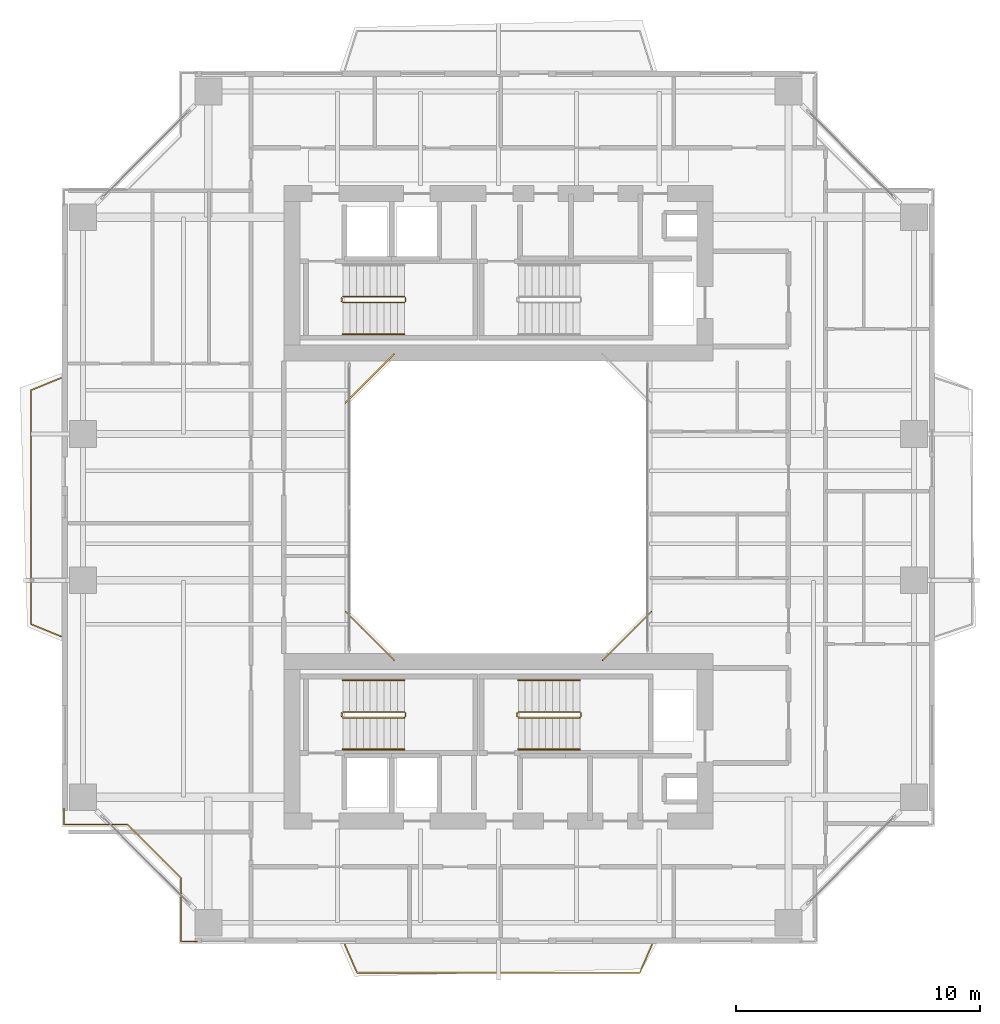
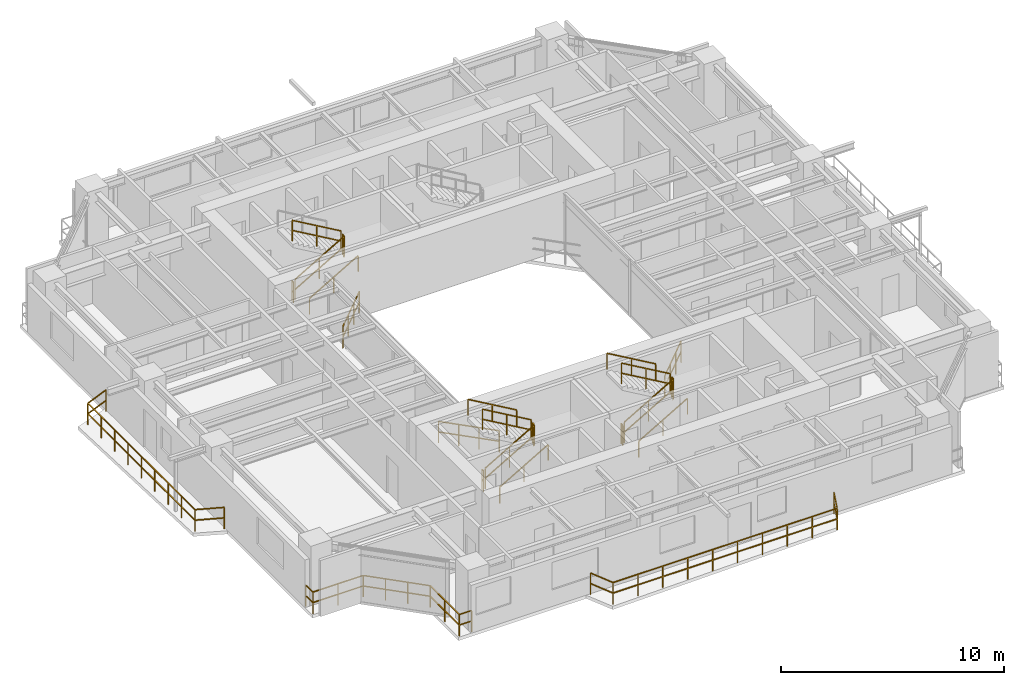
# One storey, part 15 of 17: 23 railings.
"""IFC4 building model written with IfcOpenShell, lengths in metres."""

from ifc_helpers import new_model, si_unit, direction, frame, origin, origin_2d, place, context, subcontext, project, spatial, rectangle, extrude, material, type_object, element, save


model = new_model("IFC4")

# Units and contexts
model_context = context("Model", 3, precision=1e-05, world=origin(), true_north=direction((0.0, 1.0)))
body_context = subcontext(model_context, "Body", "Model", "MODEL_VIEW")
ifc_project = project(units=[si_unit("LENGTHUNIT", "METRE"), si_unit("AREAUNIT", "SQUARE_METRE"), si_unit("VOLUMEUNIT", "CUBIC_METRE"), si_unit("PLANEANGLEUNIT", "RADIAN"), si_unit("MASSUNIT", "GRAM", prefix="KILO"), si_unit("THERMODYNAMICTEMPERATUREUNIT", "KELVIN"), si_unit("POWERUNIT", "WATT")], contexts=[model_context])

# Site, building, storey
site_placement = place(None, origin())
site = spatial("IfcSite", under=ifc_project, at=site_placement, CompositionType="ELEMENT")
building_placement = place(site_placement, origin())
building = spatial("IfcBuilding", under=site, at=building_placement, Name="Qiaomeng Ring Towers", CompositionType="ELEMENT")
storey_placement = place(building_placement, frame((0.0, 0.0, 119.75)))
storey = spatial("IfcBuildingStorey", under=building, at=storey_placement, Name="L34", CompositionType="ELEMENT", Elevation=119.75)

# Railings
ifc_material_1 = material(Name="Low-E pale-green laminated safety glass", Category="glass")
railing_type_1 = type_object("IfcRailingType", Name="ARC-RL-BAL1", PredefinedType="BALUSTRADE", material=ifc_material_1)
railing_1_placement = place(storey_placement, frame((23.280029296875, 16.719970703125, 0.0)))
element("IfcRailing", 1, at=railing_1_placement, inside=storey, type_object=railing_type_1, Name="L34 Balustrade ARC-BAL-WELL1-L34-1", PredefinedType="BALUSTRADE", context=body_context, shape_type="SweptSolid", body=[
    extrude(rectangle(XDim=0.048095703125, YDim=0.048095703125, at=origin_2d()), frame((0.0, 0.0, 1.17578125), z_axis=(0.707106781187, 0.707106781187, 0.0), x_axis=(-0.707106781187, 0.707106781187, 0.0)), (0.0, 0.0, 1.0), 2.828369140625),
    extrude(rectangle(XDim=0.048095703125, YDim=0.048095703125, at=origin_2d()), frame((0.0, 0.0, 0.60009765625), z_axis=(0.707106781187, 0.707106781187, 0.0), x_axis=(-0.707106781187, 0.707106781187, 0.0)), (0.0, 0.0, 1.0), 2.828369140625),
    extrude(rectangle(XDim=0.0419921875, YDim=0.0419921875, at=origin_2d()), origin(), (0.0, 0.0, 1.0), 1.15185546875),
    extrude(rectangle(XDim=0.0419921875, YDim=0.0419921875, at=origin_2d()), frame((0.666748046875, 0.666748046875, 0.0)), (0.0, 0.0, 1.0), 1.15185546875),
    extrude(rectangle(XDim=0.0419921875, YDim=0.0419921875, at=origin_2d()), frame((1.333251953125, 1.333251953125, 0.0)), (0.0, 0.0, 1.0), 1.15185546875),
    extrude(rectangle(XDim=0.0419921875, YDim=0.0419921875, at=origin_2d()), frame((2.0, 2.0, 0.0)), (0.0, 0.0, 1.0), 1.15185546875),
])
railing_2_placement = place(storey_placement, frame((14.719970703125, 29.280029296875, 0.0)))
element("IfcRailing", 2, at=railing_2_placement, inside=storey, type_object=railing_type_1, Name="L34 Balustrade ARC-BAL-WELL1-L34-3", PredefinedType="BALUSTRADE", context=body_context, shape_type="SweptSolid", body=[
    extrude(rectangle(XDim=0.048095703125, YDim=0.048095703125, at=origin_2d()), frame((0.0, 0.0, 1.17578125), z_axis=(-0.707106781187, -0.707106781187, 0.0), x_axis=(0.707106781187, -0.707106781187, 0.0)), (0.0, 0.0, 1.0), 2.828369140625),
    extrude(rectangle(XDim=0.048095703125, YDim=0.048095703125, at=origin_2d()), frame((0.0, 0.0, 0.60009765625), z_axis=(-0.707106781187, -0.707106781187, 0.0), x_axis=(0.707106781187, -0.707106781187, 0.0)), (0.0, 0.0, 1.0), 2.828369140625),
    extrude(rectangle(XDim=0.0419921875, YDim=0.0419921875, at=origin_2d()), origin(), (0.0, 0.0, 1.0), 1.15185546875),
    extrude(rectangle(XDim=0.0419921875, YDim=0.0419921875, at=origin_2d()), frame((-0.666748046875, -0.666748046875, 0.0)), (0.0, 0.0, 1.0), 1.15185546875),
    extrude(rectangle(XDim=0.0419921875, YDim=0.0419921875, at=origin_2d()), frame((-1.333251953125, -1.333251953125, 0.0)), (0.0, 0.0, 1.0), 1.15185546875),
    extrude(rectangle(XDim=0.0419921875, YDim=0.0419921875, at=origin_2d()), frame((-2.0, -2.0, 0.0)), (0.0, 0.0, 1.0), 1.15185546875),
])
railing_3_placement = place(storey_placement, frame((12.719970703125, 18.719970703125, 0.0)))
element("IfcRailing", 3, at=railing_3_placement, inside=storey, type_object=railing_type_1, Name="L34 Balustrade ARC-BAL-WELL1-L34-4", PredefinedType="BALUSTRADE", context=body_context, shape_type="SweptSolid", body=[
    extrude(rectangle(XDim=0.048095703125, YDim=0.048095703125, at=origin_2d()), frame((0.0, 0.0, 1.17578125), z_axis=(0.707106781187, -0.707106781187, 0.0), x_axis=(0.707106781187, 0.707106781187, 0.0)), (0.0, 0.0, 1.0), 2.828369140625),
    extrude(rectangle(XDim=0.048095703125, YDim=0.048095703125, at=origin_2d()), frame((0.0, 0.0, 0.60009765625), z_axis=(0.707106781187, -0.707106781187, 0.0), x_axis=(0.707106781187, 0.707106781187, 0.0)), (0.0, 0.0, 1.0), 2.828369140625),
    extrude(rectangle(XDim=0.0419921875, YDim=0.0419921875, at=origin_2d()), origin(), (0.0, 0.0, 1.0), 1.15185546875),
    extrude(rectangle(XDim=0.0419921875, YDim=0.0419921875, at=origin_2d()), frame((0.666748046875, -0.666748046875, 0.0)), (0.0, 0.0, 1.0), 1.15185546875),
    extrude(rectangle(XDim=0.0419921875, YDim=0.0419921875, at=origin_2d()), frame((1.333251953125, -1.333251953125, 0.0)), (0.0, 0.0, 1.0), 1.15185546875),
    extrude(rectangle(XDim=0.0419921875, YDim=0.0419921875, at=origin_2d()), frame((2.0, -2.0, 0.0)), (0.0, 0.0, 1.0), 1.15185546875),
])
railing_4_placement = place(storey_placement, frame((1.179931640625, 10.6298828125, 0.0)))
element("IfcRailing", 4, at=railing_4_placement, inside=storey, type_object=railing_type_1, Name="L34 Balustrade ARC-BAL-NOTCH1-L34-SW", PredefinedType="BALUSTRADE", context=body_context, shape_type="SweptSolid", body=[
    extrude(rectangle(XDim=0.048095703125, YDim=0.048095703125, at=origin_2d()), frame((0.0, 0.0, 1.17578125), z_axis=(0.0, -1.0, 0.0), x_axis=(1.0, 0.0, 0.0)), (0.0, 0.0, 1.0), 0.64990234375),
    extrude(rectangle(XDim=0.048095703125, YDim=0.048095703125, at=origin_2d()), frame((0.0, 0.0, 0.60009765625), z_axis=(0.0, -1.0, 0.0), x_axis=(1.0, 0.0, 0.0)), (0.0, 0.0, 1.0), 0.64990234375),
    extrude(rectangle(XDim=0.048095703125, YDim=0.048095703125, at=origin_2d()), frame((0.0, -0.64990234375, 1.17578125), z_axis=(1.0, 0.0, 0.0), x_axis=(0.0, 1.0, 0.0)), (0.0, 0.0, 1.0), 2.60009765625),
    extrude(rectangle(XDim=0.048095703125, YDim=0.048095703125, at=origin_2d()), frame((0.0, -0.64990234375, 0.60009765625), z_axis=(1.0, 0.0, 0.0), x_axis=(0.0, 1.0, 0.0)), (0.0, 0.0, 1.0), 2.60009765625),
    extrude(rectangle(XDim=0.048095703125, YDim=0.048095703125, at=origin_2d()), frame((2.60009765625, -0.64990234375, 1.17578125), z_axis=(0.707106781187, -0.707106781187, 0.0), x_axis=(0.707106781187, 0.707106781187, 0.0)), (0.0, 0.0, 1.0), 3.111083984375),
    extrude(rectangle(XDim=0.048095703125, YDim=0.048095703125, at=origin_2d()), frame((2.60009765625, -0.64990234375, 0.60009765625), z_axis=(0.707106781187, -0.707106781187, 0.0), x_axis=(0.707106781187, 0.707106781187, 0.0)), (0.0, 0.0, 1.0), 3.111083984375),
    extrude(rectangle(XDim=0.048095703125, YDim=0.048095703125, at=origin_2d()), frame((4.800048828125, -2.849853515625, 1.17578125), z_axis=(0.0, -1.0, 0.0), x_axis=(1.0, 0.0, 0.0)), (0.0, 0.0, 1.0), 2.60009765625),
    extrude(rectangle(XDim=0.048095703125, YDim=0.048095703125, at=origin_2d()), frame((4.800048828125, -2.849853515625, 0.60009765625), z_axis=(0.0, -1.0, 0.0), x_axis=(1.0, 0.0, 0.0)), (0.0, 0.0, 1.0), 2.60009765625),
    extrude(rectangle(XDim=0.048095703125, YDim=0.048095703125, at=origin_2d()), frame((4.800048828125, -5.449951171875, 1.17578125), z_axis=(1.0, 0.0, 0.0), x_axis=(0.0, 1.0, 0.0)), (0.0, 0.0, 1.0), 0.64990234375),
    extrude(rectangle(XDim=0.048095703125, YDim=0.048095703125, at=origin_2d()), frame((4.800048828125, -5.449951171875, 0.60009765625), z_axis=(1.0, 0.0, 0.0), x_axis=(0.0, 1.0, 0.0)), (0.0, 0.0, 1.0), 0.64990234375),
    extrude(rectangle(XDim=0.0419921875, YDim=0.0419921875, at=origin_2d()), origin(), (0.0, 0.0, 1.0), 1.15185546875),
    extrude(rectangle(XDim=0.0419921875, YDim=0.0419921875, at=origin_2d()), frame((0.0, -0.64990234375, 0.0)), (0.0, 0.0, 1.0), 1.15185546875),
    extrude(rectangle(XDim=0.0419921875, YDim=0.0419921875, at=origin_2d()), frame((1.300048828125, -0.64990234375, 0.0)), (0.0, 0.0, 1.0), 1.15185546875),
    extrude(rectangle(XDim=0.0419921875, YDim=0.0419921875, at=origin_2d()), frame((2.60009765625, -0.64990234375, 0.0)), (0.0, 0.0, 1.0), 1.15185546875),
    extrude(rectangle(XDim=0.0419921875, YDim=0.0419921875, at=origin_2d()), frame((3.33349609375, -1.38330078125, 0.0)), (0.0, 0.0, 1.0), 1.15185546875),
    extrude(rectangle(XDim=0.0419921875, YDim=0.0419921875, at=origin_2d()), frame((4.066650390625, -2.116455078125, 0.0)), (0.0, 0.0, 1.0), 1.15185546875),
    extrude(rectangle(XDim=0.0419921875, YDim=0.0419921875, at=origin_2d()), frame((4.800048828125, -2.849853515625, 0.0)), (0.0, 0.0, 1.0), 1.15185546875),
    extrude(rectangle(XDim=0.0419921875, YDim=0.0419921875, at=origin_2d()), frame((4.800048828125, -4.14990234375, 0.0)), (0.0, 0.0, 1.0), 1.15185546875),
    extrude(rectangle(XDim=0.0419921875, YDim=0.0419921875, at=origin_2d()), frame((4.800048828125, -5.449951171875, 0.0)), (0.0, 0.0, 1.0), 1.15185546875),
    extrude(rectangle(XDim=0.0419921875, YDim=0.0419921875, at=origin_2d()), frame((5.449951171875, -5.449951171875, 0.0)), (0.0, 0.0, 1.0), 1.15185546875),
])
railing_5_placement = place(storey_placement, frame((12.699951171875, 5.050048828125, 0.0)))
element("IfcRailing", 5, at=railing_5_placement, inside=storey, type_object=railing_type_1, Name="L34 Balustrade ARC-BAL-L34-T1-S", PredefinedType="BALUSTRADE", context=body_context, shape_type="SweptSolid", body=[
    extrude(rectangle(XDim=0.048095703125, YDim=0.048095703125, at=origin_2d()), frame((0.0, 0.0, 1.17578125), z_axis=(0.39868340127, -0.917088624699, 0.0), x_axis=(0.917088624699, 0.39868340127, 0.0)), (0.0, 0.0, 1.0), 1.254150390625),
    extrude(rectangle(XDim=0.048095703125, YDim=0.048095703125, at=origin_2d()), frame((0.0, 0.0, 0.60009765625), z_axis=(0.39868340127, -0.917088624699, 0.0), x_axis=(0.917088624699, 0.39868340127, 0.0)), (0.0, 0.0, 1.0), 1.254150390625),
    extrude(rectangle(XDim=0.048095703125, YDim=0.048095703125, at=origin_2d()), frame((0.5, -1.150146484375, 1.17578125), z_axis=(1.0, 0.0, 0.0), x_axis=(0.0, 1.0, 0.0)), (0.0, 0.0, 1.0), 11.60009765625),
    extrude(rectangle(XDim=0.048095703125, YDim=0.048095703125, at=origin_2d()), frame((0.5, -1.150146484375, 0.60009765625), z_axis=(1.0, 0.0, 0.0), x_axis=(0.0, 1.0, 0.0)), (0.0, 0.0, 1.0), 11.60009765625),
    extrude(rectangle(XDim=0.048095703125, YDim=0.048095703125, at=origin_2d()), frame((12.10009765625, -1.150146484375, 1.17578125), z_axis=(0.39868340127, 0.917088624699, 0.0), x_axis=(-0.917088624699, 0.39868340127, 0.0)), (0.0, 0.0, 1.0), 1.254150390625),
    extrude(rectangle(XDim=0.048095703125, YDim=0.048095703125, at=origin_2d()), frame((12.10009765625, -1.150146484375, 0.60009765625), z_axis=(0.39868340127, 0.917088624699, 0.0), x_axis=(-0.917088624699, 0.39868340127, 0.0)), (0.0, 0.0, 1.0), 1.254150390625),
    extrude(rectangle(XDim=0.0419921875, YDim=0.0419921875, at=origin_2d()), origin(), (0.0, 0.0, 1.0), 1.15185546875),
    extrude(rectangle(XDim=0.0419921875, YDim=0.0419921875, at=origin_2d()), frame((0.5, -1.150146484375, 0.0)), (0.0, 0.0, 1.0), 1.15185546875),
    extrude(rectangle(XDim=0.0419921875, YDim=0.0419921875, at=origin_2d()), frame((1.788818359375, -1.150146484375, 0.0)), (0.0, 0.0, 1.0), 1.15185546875),
    extrude(rectangle(XDim=0.0419921875, YDim=0.0419921875, at=origin_2d()), frame((3.077880859375, -1.150146484375, 0.0)), (0.0, 0.0, 1.0), 1.15185546875),
    extrude(rectangle(XDim=0.0419921875, YDim=0.0419921875, at=origin_2d()), frame((4.36669921875, -1.150146484375, 0.0)), (0.0, 0.0, 1.0), 1.15185546875),
    extrude(rectangle(XDim=0.0419921875, YDim=0.0419921875, at=origin_2d()), frame((5.655517578125, -1.150146484375, 0.0)), (0.0, 0.0, 1.0), 1.15185546875),
    extrude(rectangle(XDim=0.0419921875, YDim=0.0419921875, at=origin_2d()), frame((6.944580078125, -1.150146484375, 0.0)), (0.0, 0.0, 1.0), 1.15185546875),
    extrude(rectangle(XDim=0.0419921875, YDim=0.0419921875, at=origin_2d()), frame((8.2333984375, -1.150146484375, 0.0)), (0.0, 0.0, 1.0), 1.15185546875),
    extrude(rectangle(XDim=0.0419921875, YDim=0.0419921875, at=origin_2d()), frame((9.522216796875, -1.150146484375, 0.0)), (0.0, 0.0, 1.0), 1.15185546875),
    extrude(rectangle(XDim=0.0419921875, YDim=0.0419921875, at=origin_2d()), frame((10.811279296875, -1.150146484375, 0.0)), (0.0, 0.0, 1.0), 1.15185546875),
    extrude(rectangle(XDim=0.0419921875, YDim=0.0419921875, at=origin_2d()), frame((12.10009765625, -1.150146484375, 0.0)), (0.0, 0.0, 1.0), 1.15185546875),
    extrude(rectangle(XDim=0.0419921875, YDim=0.0419921875, at=origin_2d()), frame((12.60009765625, 0.0, 0.0)), (0.0, 0.0, 1.0), 1.15185546875),
])
railing_6_placement = place(storey_placement, frame((1.050048828125, 17.699951171875, 0.0)))
element("IfcRailing", 6, at=railing_6_placement, inside=storey, type_object=railing_type_1, Name="L34 Balustrade ARC-BAL-L34-T1-W", PredefinedType="BALUSTRADE", context=body_context, shape_type="SweptSolid", body=[
    extrude(rectangle(XDim=0.048095703125, YDim=0.048095703125, at=origin_2d()), frame((0.0, 0.0, 1.17578125), z_axis=(-0.926382398109, 0.376584190418, 0.0), x_axis=(-0.376584190418, -0.926382398109, 0.0)), (0.0, 0.0, 1.0), 1.32763671875),
    extrude(rectangle(XDim=0.048095703125, YDim=0.048095703125, at=origin_2d()), frame((0.0, 0.0, 0.60009765625), z_axis=(-0.926382398109, 0.376584190418, 0.0), x_axis=(-0.376584190418, -0.926382398109, 0.0)), (0.0, 0.0, 1.0), 1.32763671875),
    extrude(rectangle(XDim=0.048095703125, YDim=0.048095703125, at=origin_2d()), frame((-1.22998046875, 0.5, 1.17578125), z_axis=(0.0, 1.0, 0.0), x_axis=(-1.0, 0.0, 0.0)), (0.0, 0.0, 1.0), 9.60009765625),
    extrude(rectangle(XDim=0.048095703125, YDim=0.048095703125, at=origin_2d()), frame((-1.22998046875, 0.5, 0.60009765625), z_axis=(0.0, 1.0, 0.0), x_axis=(-1.0, 0.0, 0.0)), (0.0, 0.0, 1.0), 9.60009765625),
    extrude(rectangle(XDim=0.048095703125, YDim=0.048095703125, at=origin_2d()), frame((-1.22998046875, 10.10009765625, 1.17578125), z_axis=(0.926382398109, 0.376584190418, 0.0), x_axis=(-0.376584190418, 0.926382398109, 0.0)), (0.0, 0.0, 1.0), 1.32763671875),
    extrude(rectangle(XDim=0.048095703125, YDim=0.048095703125, at=origin_2d()), frame((-1.22998046875, 10.10009765625, 0.60009765625), z_axis=(0.926382398109, 0.376584190418, 0.0), x_axis=(-0.376584190418, 0.926382398109, 0.0)), (0.0, 0.0, 1.0), 1.32763671875),
    extrude(rectangle(XDim=0.0419921875, YDim=0.0419921875, at=origin_2d()), origin(), (0.0, 0.0, 1.0), 1.15185546875),
    extrude(rectangle(XDim=0.0419921875, YDim=0.0419921875, at=origin_2d()), frame((-1.22998046875, 0.5, 0.0)), (0.0, 0.0, 1.0), 1.15185546875),
    extrude(rectangle(XDim=0.0419921875, YDim=0.0419921875, at=origin_2d()), frame((-1.22998046875, 1.699951171875, 0.0)), (0.0, 0.0, 1.0), 1.15185546875),
    extrude(rectangle(XDim=0.0419921875, YDim=0.0419921875, at=origin_2d()), frame((-1.22998046875, 2.89990234375, 0.0)), (0.0, 0.0, 1.0), 1.15185546875),
    extrude(rectangle(XDim=0.0419921875, YDim=0.0419921875, at=origin_2d()), frame((-1.22998046875, 4.10009765625, 0.0)), (0.0, 0.0, 1.0), 1.15185546875),
    extrude(rectangle(XDim=0.0419921875, YDim=0.0419921875, at=origin_2d()), frame((-1.22998046875, 5.300048828125, 0.0)), (0.0, 0.0, 1.0), 1.15185546875),
    extrude(rectangle(XDim=0.0419921875, YDim=0.0419921875, at=origin_2d()), frame((-1.22998046875, 6.5, 0.0)), (0.0, 0.0, 1.0), 1.15185546875),
    extrude(rectangle(XDim=0.0419921875, YDim=0.0419921875, at=origin_2d()), frame((-1.22998046875, 7.7001953125, 0.0)), (0.0, 0.0, 1.0), 1.15185546875),
    extrude(rectangle(XDim=0.0419921875, YDim=0.0419921875, at=origin_2d()), frame((-1.22998046875, 8.900146484375, 0.0)), (0.0, 0.0, 1.0), 1.15185546875),
    extrude(rectangle(XDim=0.0419921875, YDim=0.0419921875, at=origin_2d()), frame((-1.22998046875, 10.10009765625, 0.0)), (0.0, 0.0, 1.0), 1.15185546875),
    extrude(rectangle(XDim=0.0419921875, YDim=0.0419921875, at=origin_2d()), frame((0.0, 10.60009765625, 0.0)), (0.0, 0.0, 1.0), 1.15185546875),
])
ifc_material_2 = material(Name="Galvanised steel", Category="steel")
railing_type_2 = type_object("IfcRailingType", Name="ARC-RL-GUARD", PredefinedType="GUARDRAIL", material=ifc_material_2)
railing_7_placement = place(storey_placement, frame((12.6201171875, 31.39990234375, 0.16259765625)))
element("IfcRailing", 7, at=railing_7_placement, inside=storey, type_object=railing_type_2, Name="L34 ST1 stair guard 1", PredefinedType="GUARDRAIL", context=body_context, shape_type="SweptSolid", body=[
    extrude(rectangle(XDim=0.048095703125, YDim=0.048095703125, at=origin_2d()), frame((0.0, 0.0, 1.1259765625), z_axis=(0.864892226395, 0.0, 0.501957604506), x_axis=(0.0, 1.0, 0.0)), (0.0, 0.0, 1.0), 2.913330078125),
    extrude(rectangle(XDim=0.048095703125, YDim=0.048095703125, at=origin_2d()), frame((0.0, 0.0, 0.574951171875), z_axis=(0.864892226395, 0.0, 0.501957604506), x_axis=(0.0, 1.0, 0.0)), (0.0, 0.0, 1.0), 2.913330078125),
    extrude(rectangle(XDim=0.0419921875, YDim=0.0419921875, at=origin_2d()), origin(), (0.0, 0.0, 1.0), 1.101806640625),
    extrude(rectangle(XDim=0.0419921875, YDim=0.0419921875, at=origin_2d()), frame((1.259765625, 0.0, 0.731201171875)), (0.0, 0.0, 1.0), 1.101806640625),
    extrude(rectangle(XDim=0.0419921875, YDim=0.0419921875, at=origin_2d()), frame((2.519775390625, 0.0, 1.46240234375)), (0.0, 0.0, 1.0), 1.101806640625),
])
railing_8_placement = place(storey_placement, frame((15.18994140625, 31.449951171875, 1.625)))
element("IfcRailing", 8, at=railing_8_placement, inside=storey, type_object=railing_type_2, Name="L34 ST1 stair guard 2", PredefinedType="GUARDRAIL", context=body_context, shape_type="SweptSolid", body=[
    extrude(rectangle(XDim=0.048095703125, YDim=0.048095703125, at=origin_2d()), frame((0.0, 0.0, 1.1259765625), z_axis=(0.0, 1.0, 0.0), x_axis=(-1.0, 0.0, 0.0)), (0.0, 0.0, 1.0), 0.14013671875),
    extrude(rectangle(XDim=0.048095703125, YDim=0.048095703125, at=origin_2d()), frame((0.0, 0.0, 0.574951171875), z_axis=(0.0, 1.0, 0.0), x_axis=(-1.0, 0.0, 0.0)), (0.0, 0.0, 1.0), 0.14013671875),
    extrude(rectangle(XDim=0.0419921875, YDim=0.0419921875, at=origin_2d()), origin(), (0.0, 0.0, 1.0), 1.101806640625),
    extrude(rectangle(XDim=0.0419921875, YDim=0.0419921875, at=origin_2d()), frame((0.0, 0.14013671875, 0.0)), (0.0, 0.0, 1.0), 1.101806640625),
])
railing_9_placement = place(storey_placement, frame((15.139892578125, 31.639892578125, 1.78759765625)))
element("IfcRailing", 9, at=railing_9_placement, inside=storey, type_object=railing_type_2, Name="L34 ST1 stair guard 3", PredefinedType="GUARDRAIL", context=body_context, shape_type="SweptSolid", body=[
    extrude(rectangle(XDim=0.048095703125, YDim=0.048095703125, at=origin_2d()), frame((0.0, 0.0, 1.1259765625), z_axis=(-0.864892226395, 0.0, 0.501957604506), x_axis=(0.0, -1.0, 0.0)), (0.0, 0.0, 1.0), 2.913330078125),
    extrude(rectangle(XDim=0.048095703125, YDim=0.048095703125, at=origin_2d()), frame((0.0, 0.0, 0.574951171875), z_axis=(-0.864892226395, 0.0, 0.501957604506), x_axis=(0.0, -1.0, 0.0)), (0.0, 0.0, 1.0), 2.913330078125),
    extrude(rectangle(XDim=0.0419921875, YDim=0.0419921875, at=origin_2d()), origin(), (0.0, 0.0, 1.0), 1.101806640625),
    extrude(rectangle(XDim=0.0419921875, YDim=0.0419921875, at=origin_2d()), frame((-1.259765625, 0.0, 0.731201171875)), (0.0, 0.0, 1.0), 1.101806640625),
    extrude(rectangle(XDim=0.0419921875, YDim=0.0419921875, at=origin_2d()), frame((-2.519775390625, 0.0, 1.46240234375)), (0.0, 0.0, 1.0), 1.101806640625),
])
railing_10_placement = place(storey_placement, frame((12.570068359375, 31.449951171875, 0.0)))
element("IfcRailing", 10, at=railing_10_placement, inside=storey, type_object=railing_type_2, Name="L34 ST1 stair guard 4", PredefinedType="GUARDRAIL", context=body_context, shape_type="SweptSolid", body=[
    extrude(rectangle(XDim=0.048095703125, YDim=0.048095703125, at=origin_2d()), frame((0.0, 0.0, 1.1259765625), z_axis=(0.0, 1.0, 0.0), x_axis=(-1.0, 0.0, 0.0)), (0.0, 0.0, 1.0), 0.14013671875),
    extrude(rectangle(XDim=0.048095703125, YDim=0.048095703125, at=origin_2d()), frame((0.0, 0.0, 0.574951171875), z_axis=(0.0, 1.0, 0.0), x_axis=(-1.0, 0.0, 0.0)), (0.0, 0.0, 1.0), 0.14013671875),
    extrude(rectangle(XDim=0.0419921875, YDim=0.0419921875, at=origin_2d()), origin(), (0.0, 0.0, 1.0), 1.101806640625),
    extrude(rectangle(XDim=0.0419921875, YDim=0.0419921875, at=origin_2d()), frame((0.0, 0.14013671875, 0.0)), (0.0, 0.0, 1.0), 1.101806640625),
])
railing_11_placement = place(storey_placement, frame((12.6201171875, 14.360107421875, 0.16259765625)))
element("IfcRailing", 11, at=railing_11_placement, inside=storey, type_object=railing_type_2, Name="L34 ST3 stair guard 1", PredefinedType="GUARDRAIL", context=body_context, shape_type="SweptSolid", body=[
    extrude(rectangle(XDim=0.048095703125, YDim=0.048095703125, at=origin_2d()), frame((0.0, 0.0, 1.1259765625), z_axis=(0.864892226395, 0.0, 0.501957604506), x_axis=(0.0, 1.0, 0.0)), (0.0, 0.0, 1.0), 2.913330078125),
    extrude(rectangle(XDim=0.048095703125, YDim=0.048095703125, at=origin_2d()), frame((0.0, 0.0, 0.574951171875), z_axis=(0.864892226395, 0.0, 0.501957604506), x_axis=(0.0, 1.0, 0.0)), (0.0, 0.0, 1.0), 2.913330078125),
    extrude(rectangle(XDim=0.0419921875, YDim=0.0419921875, at=origin_2d()), origin(), (0.0, 0.0, 1.0), 1.101806640625),
    extrude(rectangle(XDim=0.0419921875, YDim=0.0419921875, at=origin_2d()), frame((1.259765625, 0.0, 0.731201171875)), (0.0, 0.0, 1.0), 1.101806640625),
    extrude(rectangle(XDim=0.0419921875, YDim=0.0419921875, at=origin_2d()), frame((2.519775390625, 0.0, 1.46240234375)), (0.0, 0.0, 1.0), 1.101806640625),
])
railing_12_placement = place(storey_placement, frame((15.18994140625, 14.409912109375, 1.625)))
element("IfcRailing", 12, at=railing_12_placement, inside=storey, type_object=railing_type_2, Name="L34 ST3 stair guard 2", PredefinedType="GUARDRAIL", context=body_context, shape_type="SweptSolid", body=[
    extrude(rectangle(XDim=0.048095703125, YDim=0.048095703125, at=origin_2d()), frame((0.0, 0.0, 1.1259765625), z_axis=(0.0, 1.0, 0.0), x_axis=(-1.0, 0.0, 0.0)), (0.0, 0.0, 1.0), 0.14013671875),
    extrude(rectangle(XDim=0.048095703125, YDim=0.048095703125, at=origin_2d()), frame((0.0, 0.0, 0.574951171875), z_axis=(0.0, 1.0, 0.0), x_axis=(-1.0, 0.0, 0.0)), (0.0, 0.0, 1.0), 0.14013671875),
    extrude(rectangle(XDim=0.0419921875, YDim=0.0419921875, at=origin_2d()), origin(), (0.0, 0.0, 1.0), 1.101806640625),
    extrude(rectangle(XDim=0.0419921875, YDim=0.0419921875, at=origin_2d()), frame((0.0, 0.14013671875, 0.0)), (0.0, 0.0, 1.0), 1.101806640625),
])
railing_13_placement = place(storey_placement, frame((15.139892578125, 14.60009765625, 1.78759765625)))
element("IfcRailing", 13, at=railing_13_placement, inside=storey, type_object=railing_type_2, Name="L34 ST3 stair guard 3", PredefinedType="GUARDRAIL", context=body_context, shape_type="SweptSolid", body=[
    extrude(rectangle(XDim=0.048095703125, YDim=0.048095703125, at=origin_2d()), frame((0.0, 0.0, 1.1259765625), z_axis=(-0.864892226395, 0.0, 0.501957604506), x_axis=(0.0, -1.0, 0.0)), (0.0, 0.0, 1.0), 2.913330078125),
    extrude(rectangle(XDim=0.048095703125, YDim=0.048095703125, at=origin_2d()), frame((0.0, 0.0, 0.574951171875), z_axis=(-0.864892226395, 0.0, 0.501957604506), x_axis=(0.0, -1.0, 0.0)), (0.0, 0.0, 1.0), 2.913330078125),
    extrude(rectangle(XDim=0.0419921875, YDim=0.0419921875, at=origin_2d()), origin(), (0.0, 0.0, 1.0), 1.101806640625),
    extrude(rectangle(XDim=0.0419921875, YDim=0.0419921875, at=origin_2d()), frame((-1.259765625, 0.0, 0.731201171875)), (0.0, 0.0, 1.0), 1.101806640625),
    extrude(rectangle(XDim=0.0419921875, YDim=0.0419921875, at=origin_2d()), frame((-2.519775390625, 0.0, 1.46240234375)), (0.0, 0.0, 1.0), 1.101806640625),
])
railing_14_placement = place(storey_placement, frame((12.570068359375, 14.409912109375, 0.0)))
element("IfcRailing", 14, at=railing_14_placement, inside=storey, type_object=railing_type_2, Name="L34 ST3 stair guard 4", PredefinedType="GUARDRAIL", context=body_context, shape_type="SweptSolid", body=[
    extrude(rectangle(XDim=0.048095703125, YDim=0.048095703125, at=origin_2d()), frame((0.0, 0.0, 1.1259765625), z_axis=(0.0, 1.0, 0.0), x_axis=(-1.0, 0.0, 0.0)), (0.0, 0.0, 1.0), 0.14013671875),
    extrude(rectangle(XDim=0.048095703125, YDim=0.048095703125, at=origin_2d()), frame((0.0, 0.0, 0.574951171875), z_axis=(0.0, 1.0, 0.0), x_axis=(-1.0, 0.0, 0.0)), (0.0, 0.0, 1.0), 0.14013671875),
    extrude(rectangle(XDim=0.0419921875, YDim=0.0419921875, at=origin_2d()), origin(), (0.0, 0.0, 1.0), 1.101806640625),
    extrude(rectangle(XDim=0.0419921875, YDim=0.0419921875, at=origin_2d()), frame((0.0, 0.14013671875, 0.0)), (0.0, 0.0, 1.0), 1.101806640625),
])
railing_15_placement = place(storey_placement, frame((19.820068359375, 14.360107421875, 0.16259765625)))
element("IfcRailing", 15, at=railing_15_placement, inside=storey, type_object=railing_type_2, Name="L34 ST4 stair guard 1", PredefinedType="GUARDRAIL", context=body_context, shape_type="SweptSolid", body=[
    extrude(rectangle(XDim=0.048095703125, YDim=0.048095703125, at=origin_2d()), frame((0.0, 0.0, 1.1259765625), z_axis=(0.864913338283, 0.0, 0.50192122615), x_axis=(0.0, 1.0, 0.0)), (0.0, 0.0, 1.0), 2.91357421875),
    extrude(rectangle(XDim=0.048095703125, YDim=0.048095703125, at=origin_2d()), frame((0.0, 0.0, 0.574951171875), z_axis=(0.864913338283, 0.0, 0.50192122615), x_axis=(0.0, 1.0, 0.0)), (0.0, 0.0, 1.0), 2.91357421875),
    extrude(rectangle(XDim=0.0419921875, YDim=0.0419921875, at=origin_2d()), origin(), (0.0, 0.0, 1.0), 1.101806640625),
    extrude(rectangle(XDim=0.0419921875, YDim=0.0419921875, at=origin_2d()), frame((1.260009765625, 0.0, 0.731201171875)), (0.0, 0.0, 1.0), 1.101806640625),
    extrude(rectangle(XDim=0.0419921875, YDim=0.0419921875, at=origin_2d()), frame((2.52001953125, 0.0, 1.46240234375)), (0.0, 0.0, 1.0), 1.101806640625),
])
railing_16_placement = place(storey_placement, frame((22.389892578125, 14.409912109375, 1.625)))
element("IfcRailing", 16, at=railing_16_placement, inside=storey, type_object=railing_type_2, Name="L34 ST4 stair guard 2", PredefinedType="GUARDRAIL", context=body_context, shape_type="SweptSolid", body=[
    extrude(rectangle(XDim=0.048095703125, YDim=0.048095703125, at=origin_2d()), frame((0.0, 0.0, 1.1259765625), z_axis=(0.0, 1.0, 0.0), x_axis=(-1.0, 0.0, 0.0)), (0.0, 0.0, 1.0), 0.14013671875),
    extrude(rectangle(XDim=0.048095703125, YDim=0.048095703125, at=origin_2d()), frame((0.0, 0.0, 0.574951171875), z_axis=(0.0, 1.0, 0.0), x_axis=(-1.0, 0.0, 0.0)), (0.0, 0.0, 1.0), 0.14013671875),
    extrude(rectangle(XDim=0.0419921875, YDim=0.0419921875, at=origin_2d()), origin(), (0.0, 0.0, 1.0), 1.101806640625),
    extrude(rectangle(XDim=0.0419921875, YDim=0.0419921875, at=origin_2d()), frame((0.0, 0.14013671875, 0.0)), (0.0, 0.0, 1.0), 1.101806640625),
])
railing_17_placement = place(storey_placement, frame((22.340087890625, 14.60009765625, 1.78759765625)))
element("IfcRailing", 17, at=railing_17_placement, inside=storey, type_object=railing_type_2, Name="L34 ST4 stair guard 3", PredefinedType="GUARDRAIL", context=body_context, shape_type="SweptSolid", body=[
    extrude(rectangle(XDim=0.048095703125, YDim=0.048095703125, at=origin_2d()), frame((0.0, 0.0, 1.1259765625), z_axis=(-0.864913338283, 0.0, 0.50192122615), x_axis=(0.0, -1.0, 0.0)), (0.0, 0.0, 1.0), 2.91357421875),
    extrude(rectangle(XDim=0.048095703125, YDim=0.048095703125, at=origin_2d()), frame((0.0, 0.0, 0.574951171875), z_axis=(-0.864913338283, 0.0, 0.50192122615), x_axis=(0.0, -1.0, 0.0)), (0.0, 0.0, 1.0), 2.91357421875),
    extrude(rectangle(XDim=0.0419921875, YDim=0.0419921875, at=origin_2d()), origin(), (0.0, 0.0, 1.0), 1.101806640625),
    extrude(rectangle(XDim=0.0419921875, YDim=0.0419921875, at=origin_2d()), frame((-1.260009765625, 0.0, 0.731201171875)), (0.0, 0.0, 1.0), 1.101806640625),
    extrude(rectangle(XDim=0.0419921875, YDim=0.0419921875, at=origin_2d()), frame((-2.52001953125, 0.0, 1.46240234375)), (0.0, 0.0, 1.0), 1.101806640625),
])
railing_18_placement = place(storey_placement, frame((19.77001953125, 14.409912109375, 0.0)))
element("IfcRailing", 18, at=railing_18_placement, inside=storey, type_object=railing_type_2, Name="L34 ST4 stair guard 4", PredefinedType="GUARDRAIL", context=body_context, shape_type="SweptSolid", body=[
    extrude(rectangle(XDim=0.048095703125, YDim=0.048095703125, at=origin_2d()), frame((0.0, 0.0, 1.1259765625), z_axis=(0.0, 1.0, 0.0), x_axis=(-1.0, 0.0, 0.0)), (0.0, 0.0, 1.0), 0.14013671875),
    extrude(rectangle(XDim=0.048095703125, YDim=0.048095703125, at=origin_2d()), frame((0.0, 0.0, 0.574951171875), z_axis=(0.0, 1.0, 0.0), x_axis=(-1.0, 0.0, 0.0)), (0.0, 0.0, 1.0), 0.14013671875),
    extrude(rectangle(XDim=0.0419921875, YDim=0.0419921875, at=origin_2d()), origin(), (0.0, 0.0, 1.0), 1.101806640625),
    extrude(rectangle(XDim=0.0419921875, YDim=0.0419921875, at=origin_2d()), frame((0.0, 0.14013671875, 0.0)), (0.0, 0.0, 1.0), 1.101806640625),
])
ifc_material_3 = material(Name="Stainless steel 316", Category="steel")
railing_type_3 = type_object("IfcRailingType", Name="ARC-RL-HAND", PredefinedType="HANDRAIL", material=ifc_material_3)
for number, where, name in (
    (19, (12.6201171875, 30.10009765625, 0.16259765625), "L34 ST1 stair handrail 1"),
    (20, (12.6201171875, 13.06005859375, 0.16259765625), "L34 ST3 stair handrail 1"),
):
    element("IfcRailing", number, at=place(storey_placement, frame(where)), inside=storey, type_object=railing_type_3, Name=name, PredefinedType="HANDRAIL", context=body_context, shape_type="SweptSolid", body=[
        extrude(rectangle(XDim=0.048095703125, YDim=0.048095703125, at=origin_2d()), frame((0.0, 0.0, 0.8759765625), z_axis=(0.864892226395, 0.0, 0.501957604506), x_axis=(0.0, 1.0, 0.0)), (0.0, 0.0, 1.0), 2.913330078125),
        extrude(rectangle(XDim=0.0419921875, YDim=0.0419921875, at=origin_2d()), origin(), (0.0, 0.0, 1.0), 0.851806640625),
        extrude(rectangle(XDim=0.0419921875, YDim=0.0419921875, at=origin_2d()), frame((1.259765625, 0.0, 0.731201171875)), (0.0, 0.0, 1.0), 0.851806640625),
        extrude(rectangle(XDim=0.0419921875, YDim=0.0419921875, at=origin_2d()), frame((2.519775390625, 0.0, 1.46240234375)), (0.0, 0.0, 1.0), 0.851806640625),
    ])
railing_19_placement = place(storey_placement, frame((15.139892578125, 15.89990234375, 1.78759765625)))
element("IfcRailing", 21, at=railing_19_placement, inside=storey, type_object=railing_type_3, Name="L34 ST3 stair handrail 2", PredefinedType="HANDRAIL", context=body_context, shape_type="SweptSolid", body=[
    extrude(rectangle(XDim=0.048095703125, YDim=0.048095703125, at=origin_2d()), frame((0.0, 0.0, 0.8759765625), z_axis=(-0.864892226395, 0.0, 0.501957604506), x_axis=(0.0, -1.0, 0.0)), (0.0, 0.0, 1.0), 2.913330078125),
    extrude(rectangle(XDim=0.0419921875, YDim=0.0419921875, at=origin_2d()), origin(), (0.0, 0.0, 1.0), 0.851806640625),
    extrude(rectangle(XDim=0.0419921875, YDim=0.0419921875, at=origin_2d()), frame((-1.259765625, 0.0, 0.731201171875)), (0.0, 0.0, 1.0), 0.851806640625),
    extrude(rectangle(XDim=0.0419921875, YDim=0.0419921875, at=origin_2d()), frame((-2.519775390625, 0.0, 1.46240234375)), (0.0, 0.0, 1.0), 0.851806640625),
])
railing_20_placement = place(storey_placement, frame((19.820068359375, 13.06005859375, 0.16259765625)))
element("IfcRailing", 22, at=railing_20_placement, inside=storey, type_object=railing_type_3, Name="L34 ST4 stair handrail 1", PredefinedType="HANDRAIL", context=body_context, shape_type="SweptSolid", body=[
    extrude(rectangle(XDim=0.048095703125, YDim=0.048095703125, at=origin_2d()), frame((0.0, 0.0, 0.8759765625), z_axis=(0.864913338283, 0.0, 0.50192122615), x_axis=(0.0, 1.0, 0.0)), (0.0, 0.0, 1.0), 2.91357421875),
    extrude(rectangle(XDim=0.0419921875, YDim=0.0419921875, at=origin_2d()), origin(), (0.0, 0.0, 1.0), 0.851806640625),
    extrude(rectangle(XDim=0.0419921875, YDim=0.0419921875, at=origin_2d()), frame((1.260009765625, 0.0, 0.731201171875)), (0.0, 0.0, 1.0), 0.851806640625),
    extrude(rectangle(XDim=0.0419921875, YDim=0.0419921875, at=origin_2d()), frame((2.52001953125, 0.0, 1.46240234375)), (0.0, 0.0, 1.0), 0.851806640625),
])
railing_21_placement = place(storey_placement, frame((22.340087890625, 15.89990234375, 1.78759765625)))
element("IfcRailing", 23, at=railing_21_placement, inside=storey, type_object=railing_type_3, Name="L34 ST4 stair handrail 2", PredefinedType="HANDRAIL", context=body_context, shape_type="SweptSolid", body=[
    extrude(rectangle(XDim=0.048095703125, YDim=0.048095703125, at=origin_2d()), frame((0.0, 0.0, 0.8759765625), z_axis=(-0.864913338283, 0.0, 0.50192122615), x_axis=(0.0, -1.0, 0.0)), (0.0, 0.0, 1.0), 2.91357421875),
    extrude(rectangle(XDim=0.0419921875, YDim=0.0419921875, at=origin_2d()), origin(), (0.0, 0.0, 1.0), 0.851806640625),
    extrude(rectangle(XDim=0.0419921875, YDim=0.0419921875, at=origin_2d()), frame((-1.260009765625, 0.0, 0.731201171875)), (0.0, 0.0, 1.0), 0.851806640625),
    extrude(rectangle(XDim=0.0419921875, YDim=0.0419921875, at=origin_2d()), frame((-2.52001953125, 0.0, 1.46240234375)), (0.0, 0.0, 1.0), 0.851806640625),
])

save(model, "model.ifc")
